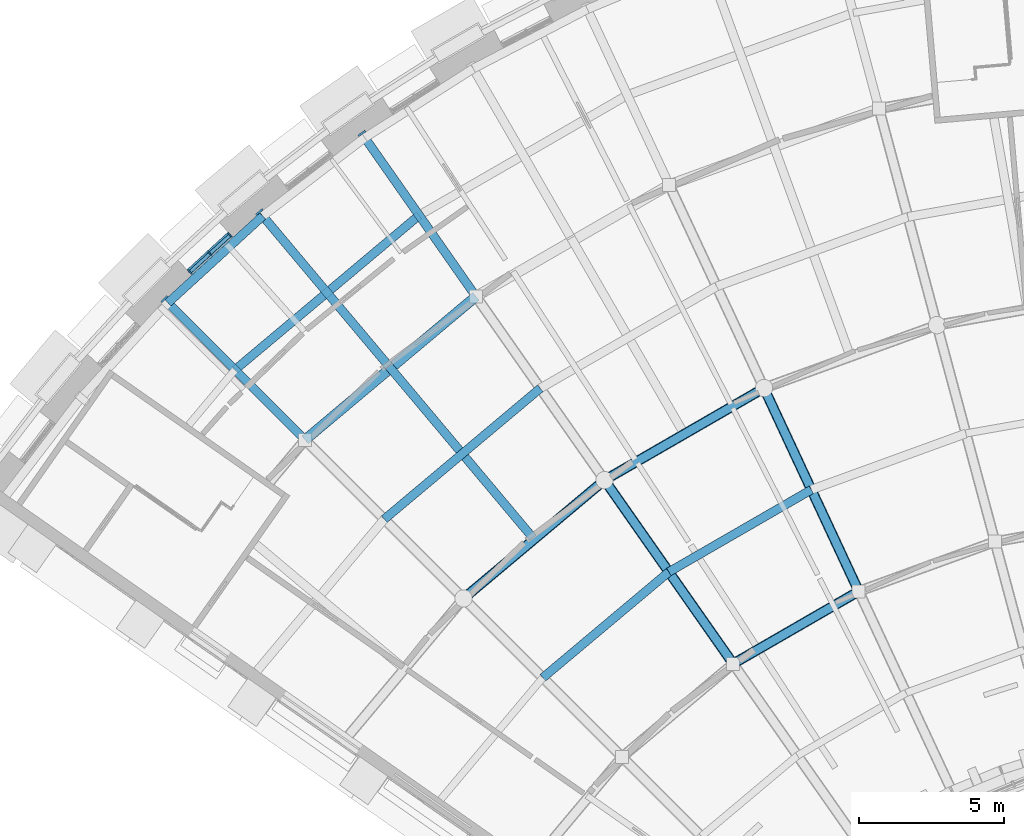
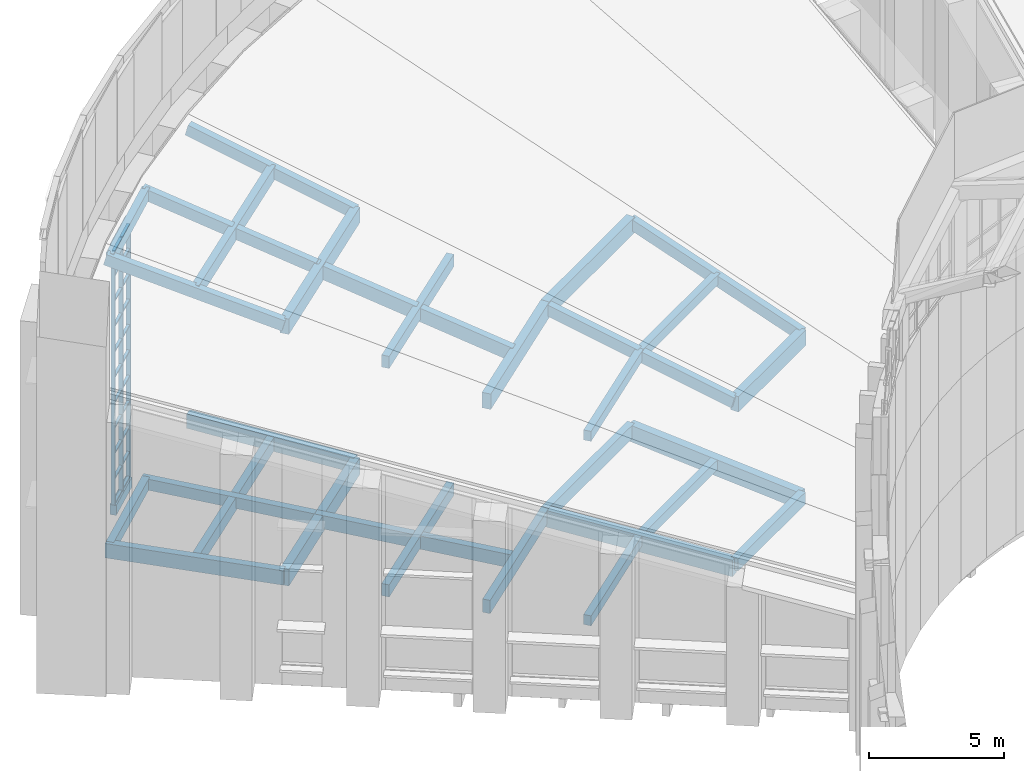
# One storey, part 23 of 82: 32 beams, 25 members, 1 element without a shape of its own.
"""IFC4 building model written with IfcOpenShell, lengths in metres."""

from ifc_helpers import new_model, si_unit, direction, frame, origin, origin_2d, place, context, subcontext, project, spatial, rectangle, extrude, material, layer, layer_set, material_profile, profile_set, type_object, element, aggregate, save


model = new_model("IFC4")

# Units and contexts
model_context = context("Model", 3, precision=1e-05, world=origin(), true_north=direction((0.0, 1.0)))
body_context = subcontext(model_context, "Body", "Model", "MODEL_VIEW")
ifc_project = project(units=[si_unit("LENGTHUNIT", "METRE"), si_unit("AREAUNIT", "SQUARE_METRE"), si_unit("VOLUMEUNIT", "CUBIC_METRE"), si_unit("PLANEANGLEUNIT", "RADIAN"), si_unit("MASSUNIT", "GRAM", prefix="KILO")], contexts=[model_context])

# Site, building, storey
site_placement = place(None, origin())
site = spatial("IfcSite", under=ifc_project, at=site_placement, CompositionType="ELEMENT")
building_placement = place(site_placement, origin())
building = spatial("IfcBuilding", under=site, at=building_placement, Name="Volute Hill Aquarium", CompositionType="ELEMENT")
storey_placement = place(building_placement, frame((0.0, 0.0, 13.800048828125)))
storey = spatial("IfcBuildingStorey", under=building, at=storey_placement, Name="L04", CompositionType="ELEMENT", Elevation=13.800048828125)

# Beams
ifc_material_1 = material(Name="Concrete C35/45", Category="concrete")
ifc_material_profile_1 = material_profile(ifc_material_1, rectangle(XDim=0.300048828125, YDim=0.550048828125, at=origin_2d()), Name="RC beam 300x550")
ifc_profile_set_1 = profile_set([ifc_material_profile_1], Name="Concrete C35/45")
beam_type_1 = type_object("IfcBeamType", Name="Beam 300x550 C35/45", PredefinedType="BEAM", material=ifc_profile_set_1)
beam_1_placement = place(storey_placement, frame((-12.150390625, 26.056396484375, -0.594970703125), z_axis=(-0.866003851672, -0.500037327496, 0.0), x_axis=(0.500037327496, -0.866003851672, 0.0)))
element("IfcBeam", 1, at=beam_1_placement, inside=storey, type_object=beam_type_1, Name="bm/S6/L04/ring1.19", PredefinedType="BEAM", context=body_context, shape_type="SweptSolid", body=[
    extrude(rectangle(XDim=0.300048828125, YDim=0.550048828125, at=origin_2d()), origin(), (0.0, 0.0, 1.0), 5.01123046875),
])
ifc_material_2 = material(Name="Concrete C35/45", Category="concrete")
ifc_material_profile_2 = material_profile(ifc_material_2, rectangle(XDim=0.300048828125, YDim=0.60009765625, at=origin_2d()), Name="RC beam 300x600")
ifc_profile_set_2 = profile_set([ifc_material_profile_2], Name="Concrete C35/45")
beam_type_2 = type_object("IfcBeamType", Name="Beam 300x600 C35/45", PredefinedType="BEAM", material=ifc_profile_set_2)
for number, where, z_axis, x_axis, name in (
    (2, (-15.425537109375, 33.080078125, -0.6201171875), (-0.866029029746, -0.499993719597, 0.0), (0.499993719597, -0.866029029746, 0.0), "bm/S6/L04/ring2.24"),
    (3, (-20.935546875, 29.89892578125, -0.6201171875), (-0.766043421596, -0.642788827088, 0.0), (0.642788827088, -0.766043421596, 0.0), "bm/S6/L04/ring2.25"),
):
    element("IfcBeam", number, at=place(storey_placement, frame(where, z_axis=z_axis, x_axis=x_axis)), inside=storey, type_object=beam_type_2, Name=name, PredefinedType="BEAM", context=body_context, shape_type="SweptSolid", body=[
        extrude(rectangle(XDim=0.300048828125, YDim=0.60009765625, at=origin_2d()), origin(), (0.0, 0.0, 1.0), 6.3623046875),
    ])
ifc_material_3 = material(Name="Concrete C35/45", Category="concrete")
ifc_material_profile_3 = material_profile(ifc_material_3, rectangle(XDim=0.300048828125, YDim=0.64990234375, at=origin_2d()), Name="RC beam 300x650")
ifc_profile_set_3 = profile_set([ifc_material_profile_3], Name="Concrete C35/45")
beam_type_3 = type_object("IfcBeamType", Name="Beam 300x650 C35/45", PredefinedType="BEAM", material=ifc_profile_set_3)
beam_2_placement = place(storey_placement, frame((-25.380859375, 36.24755859375, -0.64501953125), z_axis=(-0.573579548978, 0.819149864796, 0.0), x_axis=(-0.819149864796, -0.573579548978, 0.0)))
element("IfcBeam", 4, at=beam_2_placement, inside=storey, type_object=beam_type_3, Name="bm/S6/L04/rad3.12", PredefinedType="BEAM", context=body_context, shape_type="SweptSolid", body=[
    extrude(rectangle(XDim=0.300048828125, YDim=0.64990234375, at=origin_2d()), origin(), (0.0, 0.0, 1.0), 6.849853515625),
])
beam_3_placement = place(storey_placement, frame((-31.28955078125, 31.28955078125, -0.64501953125), z_axis=(-0.707106781187, 0.707106781187, 0.0), x_axis=(-0.707106781187, -0.707106781187, 0.0)))
element("IfcBeam", 5, at=beam_3_placement, inside=storey, type_object=beam_type_3, Name="bm/S6/L04/rad4.16", PredefinedType="BEAM", context=body_context, shape_type="SweptSolid", body=[
    extrude(rectangle(XDim=0.300048828125, YDim=0.64990234375, at=origin_2d()), origin(), (0.0, 0.0, 1.0), 6.85009765625),
])
ifc_material_4 = material(Name="Concrete C35/45", Category="concrete")
ifc_material_profile_4 = material_profile(ifc_material_4, rectangle(XDim=0.35009765625, YDim=0.699951171875, at=origin_2d()), Name="RC beam 350x700")
ifc_profile_set_4 = profile_set([ifc_material_profile_4], Name="Concrete C35/45")
beam_type_4 = type_object("IfcBeamType", Name="Beam 350x700 C35/45", PredefinedType="BEAM", material=ifc_profile_set_4)
beam_4_placement = place(storey_placement, frame((-12.150390625, 26.056396484375, 6.68408203125), z_axis=(-0.866003851672, -0.500037327496, 0.0), x_axis=(0.500037327496, -0.866003851672, 0.0)))
element("IfcBeam", 6, at=beam_4_placement, inside=storey, type_object=beam_type_4, Name="rb/S6/L04/ring1.19", PredefinedType="BEAM", context=body_context, shape_type="SweptSolid", body=[
    extrude(rectangle(XDim=0.35009765625, YDim=0.699951171875, at=origin_2d()), origin(), (0.0, 0.0, 1.0), 5.01123046875),
])
for number, where, z_axis, x_axis, name in (
    (7, (-15.425537109375, 33.080078125, 8.676513671875), (-0.866029029746, -0.499993719597, 0.0), (0.499993719597, -0.866029029746, 0.0), "rb/S6/L04/ring2.24"),
    (8, (-20.935546875, 29.89892578125, 8.676513671875), (-0.766043421596, -0.642788827088, 0.0), (0.642788827088, -0.766043421596, 0.0), "rb/S6/L04/ring2.25"),
):
    element("IfcBeam", number, at=place(storey_placement, frame(where, z_axis=z_axis, x_axis=x_axis)), inside=storey, type_object=beam_type_4, Name=name, PredefinedType="BEAM", context=body_context, shape_type="SweptSolid", body=[
        extrude(rectangle(XDim=0.35009765625, YDim=0.699951171875, at=origin_2d()), origin(), (0.0, 0.0, 1.0), 6.3623046875),
    ])
beam_5_placement = place(storey_placement, frame((-25.380859375, 36.24755859375, 10.6689453125), z_axis=(-0.766042717383, -0.642789666334, 0.0), x_axis=(0.642789666334, -0.766042717383, 0.0)))
element("IfcBeam", 9, at=beam_5_placement, inside=storey, type_object=beam_type_4, Name="rb/S6/L04/ring3.30", PredefinedType="BEAM", context=body_context, shape_type="SweptSolid", body=[
    extrude(rectangle(XDim=0.35009765625, YDim=0.699951171875, at=origin_2d()), origin(), (0.0, 0.0, 1.0), 7.71337890625),
])
ifc_material_5 = material(Name="Concrete C35/45", Category="concrete")
ifc_material_profile_5 = material_profile(ifc_material_5, rectangle(XDim=0.35009765625, YDim=0.75, at=origin_2d()), Name="RC beam 350x750")
ifc_profile_set_5 = profile_set([ifc_material_profile_5], Name="Concrete C35/45")
beam_type_5 = type_object("IfcBeamType", Name="Beam 350x750 C35/45", PredefinedType="BEAM", material=ifc_profile_set_5)
beam_6_placement = place(storey_placement, frame((-12.150390625, 26.056396484375, -0.695068359375), z_axis=(-0.422612956623, 0.906310260835, 0.0), x_axis=(-0.906310260835, -0.422612956623, 0.0)))
element("IfcBeam", 10, at=beam_6_placement, inside=storey, type_object=beam_type_5, Name="bm/S6/L04/rad2.6", PredefinedType="BEAM", context=body_context, shape_type="SweptSolid", body=[
    extrude(rectangle(XDim=0.35009765625, YDim=0.75, at=origin_2d()), origin(), (0.0, 0.0, 1.0), 7.749755859375),
])
beam_7_placement = place(storey_placement, frame((-16.490234375, 23.550537109375, -0.695068359375), z_axis=(-0.573587076888, 0.819144593602, 0.0), x_axis=(-0.819144593602, -0.573587076888, 0.0)))
element("IfcBeam", 11, at=beam_7_placement, inside=storey, type_object=beam_type_5, Name="bm/S6/L04/rad3.10", PredefinedType="BEAM", context=body_context, shape_type="SweptSolid", body=[
    extrude(rectangle(XDim=0.35009765625, YDim=0.75, at=origin_2d()), origin(), (0.0, 0.0, 1.0), 7.75),
])
beam_8_placement = place(storey_placement, frame((-25.380859375, 36.24755859375, -0.695068359375), z_axis=(-0.766042717383, -0.642789666334, 0.0), x_axis=(0.642789666334, -0.766042717383, 0.0)))
element("IfcBeam", 12, at=beam_8_placement, inside=storey, type_object=beam_type_5, Name="bm/S6/L04/ring3.30", PredefinedType="BEAM", context=body_context, shape_type="SweptSolid", body=[
    extrude(rectangle(XDim=0.35009765625, YDim=0.75, at=origin_2d()), origin(), (0.0, 0.0, 1.0), 7.71337890625),
])

# Curtain wall, members
ifc_material_6 = material(Name="Aluminium", Category="aluminium")
ifc_layer = layer(ifc_material_6, 0.25)
ifc_layer_set = layer_set([ifc_layer], Name="Curtain wall niche S6 module 967")
curtain_wall_type = type_object("IfcCurtainWallType", Name="Curtain wall niche S6 module 967", PredefinedType="NOTDEFINED", material=ifc_layer_set)
curtain_wall_placement = place(storey_placement, origin())
curtain_wall = element("IfcCurtainWall", 13, at=curtain_wall_placement, inside=storey, type_object=curtain_wall_type, Name="Curtain wall CW S6 L04 8", PredefinedType="NOTDEFINED")
ifc_material_7 = material(Name="Aluminium", Category="aluminium")
ifc_material_profile_6 = material_profile(ifc_material_7, rectangle(XDim=0.169921875, YDim=0.050048828125, at=origin_2d()), Name="Curtain wall mullion S6 50x170")
ifc_profile_set_6 = profile_set([ifc_material_profile_6], Name="Aluminium")
member_type_1 = type_object("IfcMemberType", Name="Curtain wall mullion S6 50x170", PredefinedType="MULLION", material=ifc_profile_set_6)
member_1_placement = place(storey_placement, frame((-33.879638671875, 38.3671875, 0.449951171875), z_axis=(0.0, 0.0, 1.0), x_axis=(0.675582007635, -0.737284850624, 0.0)))
member_1 = element("IfcMember", 14, at=member_1_placement, type_object=member_type_1, Name="CW mullion 1", PredefinedType="MULLION", context=body_context, shape_type="SweptSolid", body=[
    extrude(rectangle(XDim=0.169921875, YDim=0.050048828125, at=origin_2d()), origin(), (0.0, 0.0, 1.0), 11.491455078125),
])
member_2_placement = place(storey_placement, frame((-34.573974609375, 37.73095703125, 0.449951171875), z_axis=(0.0, 0.0, 1.0), x_axis=(0.675582007635, -0.737284850624, 0.0)))
member_2 = element("IfcMember", 15, at=member_2_placement, type_object=member_type_1, Name="CW mullion 2", PredefinedType="MULLION", context=body_context, shape_type="SweptSolid", body=[
    extrude(rectangle(XDim=0.169921875, YDim=0.050048828125, at=origin_2d()), origin(), (0.0, 0.0, 1.0), 11.491455078125),
])
member_3_placement = place(storey_placement, frame((-35.268310546875, 37.094482421875, 0.449951171875), z_axis=(0.0, 0.0, 1.0), x_axis=(0.675582007635, -0.737284850624, 0.0)))
member_3 = element("IfcMember", 16, at=member_3_placement, type_object=member_type_1, Name="CW mullion 3", PredefinedType="MULLION", context=body_context, shape_type="SweptSolid", body=[
    extrude(rectangle(XDim=0.169921875, YDim=0.050048828125, at=origin_2d()), origin(), (0.0, 0.0, 1.0), 11.491455078125),
])
ifc_material_8 = material(Name="Aluminium", Category="aluminium")
ifc_material_profile_7 = material_profile(ifc_material_8, rectangle(XDim=0.1201171875, YDim=0.050048828125, at=origin_2d()), Name="Curtain wall transom S6 50x120")
ifc_profile_set_7 = profile_set([ifc_material_profile_7], Name="Aluminium")
member_type_2 = type_object("IfcMemberType", Name="Curtain wall transom S6 50x120", PredefinedType="USERDEFINED", material=ifc_profile_set_7)
member_4_placement = place(storey_placement, frame((-33.89794921875, 38.350341796875, 0.474853515625), z_axis=(-0.737358609817, -0.67550150298, 0.0), x_axis=(0.67550150298, -0.737358609817, 0.0)))
member_4 = element("IfcMember", 17, at=member_4_placement, type_object=member_type_2, Name="CW transom 1.1", ObjectType="TRANSOM", PredefinedType="USERDEFINED", context=body_context, shape_type="SweptSolid", body=[
    extrude(rectangle(XDim=0.1201171875, YDim=0.050048828125, at=origin_2d()), origin(), (0.0, 0.0, 1.0), 0.89208984375),
])
member_5_placement = place(storey_placement, frame((-33.89794921875, 38.350341796875, 1.59912109375), z_axis=(-0.737358609817, -0.67550150298, 0.0), x_axis=(0.67550150298, -0.737358609817, 0.0)))
member_5 = element("IfcMember", 18, at=member_5_placement, type_object=member_type_2, Name="CW transom 1.2", ObjectType="TRANSOM", PredefinedType="USERDEFINED", context=body_context, shape_type="SweptSolid", body=[
    extrude(rectangle(XDim=0.1201171875, YDim=0.050048828125, at=origin_2d()), origin(), (0.0, 0.0, 1.0), 0.89208984375),
])
member_6_placement = place(storey_placement, frame((-33.89794921875, 38.350341796875, 2.748291015625), z_axis=(-0.737358609817, -0.67550150298, 0.0), x_axis=(0.67550150298, -0.737358609817, 0.0)))
member_6 = element("IfcMember", 19, at=member_6_placement, type_object=member_type_2, Name="CW transom 1.3", ObjectType="TRANSOM", PredefinedType="USERDEFINED", context=body_context, shape_type="SweptSolid", body=[
    extrude(rectangle(XDim=0.1201171875, YDim=0.050048828125, at=origin_2d()), origin(), (0.0, 0.0, 1.0), 0.89208984375),
])
member_7_placement = place(storey_placement, frame((-33.89794921875, 38.350341796875, 3.8974609375), z_axis=(-0.737358609817, -0.67550150298, 0.0), x_axis=(0.67550150298, -0.737358609817, 0.0)))
member_7 = element("IfcMember", 20, at=member_7_placement, type_object=member_type_2, Name="CW transom 1.4", ObjectType="TRANSOM", PredefinedType="USERDEFINED", context=body_context, shape_type="SweptSolid", body=[
    extrude(rectangle(XDim=0.1201171875, YDim=0.050048828125, at=origin_2d()), origin(), (0.0, 0.0, 1.0), 0.89208984375),
])
member_8_placement = place(storey_placement, frame((-33.89794921875, 38.350341796875, 5.046630859375), z_axis=(-0.737358609817, -0.67550150298, 0.0), x_axis=(0.67550150298, -0.737358609817, 0.0)))
member_8 = element("IfcMember", 21, at=member_8_placement, type_object=member_type_2, Name="CW transom 1.5", ObjectType="TRANSOM", PredefinedType="USERDEFINED", context=body_context, shape_type="SweptSolid", body=[
    extrude(rectangle(XDim=0.1201171875, YDim=0.050048828125, at=origin_2d()), origin(), (0.0, 0.0, 1.0), 0.89208984375),
])
member_9_placement = place(storey_placement, frame((-33.89794921875, 38.350341796875, 6.195556640625), z_axis=(-0.737358609817, -0.67550150298, 0.0), x_axis=(0.67550150298, -0.737358609817, 0.0)))
member_9 = element("IfcMember", 22, at=member_9_placement, type_object=member_type_2, Name="CW transom 1.6", ObjectType="TRANSOM", PredefinedType="USERDEFINED", context=body_context, shape_type="SweptSolid", body=[
    extrude(rectangle(XDim=0.1201171875, YDim=0.050048828125, at=origin_2d()), origin(), (0.0, 0.0, 1.0), 0.89208984375),
])
member_10_placement = place(storey_placement, frame((-33.89794921875, 38.350341796875, 7.3447265625), z_axis=(-0.737358609817, -0.67550150298, 0.0), x_axis=(0.67550150298, -0.737358609817, 0.0)))
member_10 = element("IfcMember", 23, at=member_10_placement, type_object=member_type_2, Name="CW transom 1.7", ObjectType="TRANSOM", PredefinedType="USERDEFINED", context=body_context, shape_type="SweptSolid", body=[
    extrude(rectangle(XDim=0.1201171875, YDim=0.050048828125, at=origin_2d()), origin(), (0.0, 0.0, 1.0), 0.89208984375),
])
member_11_placement = place(storey_placement, frame((-33.89794921875, 38.350341796875, 8.493896484375), z_axis=(-0.737358609817, -0.67550150298, 0.0), x_axis=(0.67550150298, -0.737358609817, 0.0)))
member_11 = element("IfcMember", 24, at=member_11_placement, type_object=member_type_2, Name="CW transom 1.8", ObjectType="TRANSOM", PredefinedType="USERDEFINED", context=body_context, shape_type="SweptSolid", body=[
    extrude(rectangle(XDim=0.1201171875, YDim=0.050048828125, at=origin_2d()), origin(), (0.0, 0.0, 1.0), 0.89208984375),
])
member_12_placement = place(storey_placement, frame((-33.89794921875, 38.350341796875, 9.64306640625), z_axis=(-0.737358609817, -0.67550150298, 0.0), x_axis=(0.67550150298, -0.737358609817, 0.0)))
member_12 = element("IfcMember", 25, at=member_12_placement, type_object=member_type_2, Name="CW transom 1.9", ObjectType="TRANSOM", PredefinedType="USERDEFINED", context=body_context, shape_type="SweptSolid", body=[
    extrude(rectangle(XDim=0.1201171875, YDim=0.050048828125, at=origin_2d()), origin(), (0.0, 0.0, 1.0), 0.89208984375),
])
member_13_placement = place(storey_placement, frame((-33.89794921875, 38.350341796875, 10.792236328125), z_axis=(-0.737358609817, -0.67550150298, 0.0), x_axis=(0.67550150298, -0.737358609817, 0.0)))
member_13 = element("IfcMember", 26, at=member_13_placement, type_object=member_type_2, Name="CW transom 1.10", ObjectType="TRANSOM", PredefinedType="USERDEFINED", context=body_context, shape_type="SweptSolid", body=[
    extrude(rectangle(XDim=0.1201171875, YDim=0.050048828125, at=origin_2d()), origin(), (0.0, 0.0, 1.0), 0.89208984375),
])
member_14_placement = place(storey_placement, frame((-33.89794921875, 38.350341796875, 11.916259765625), z_axis=(-0.737358609817, -0.67550150298, 0.0), x_axis=(0.67550150298, -0.737358609817, 0.0)))
member_14 = element("IfcMember", 27, at=member_14_placement, type_object=member_type_2, Name="CW transom 1.11", ObjectType="TRANSOM", PredefinedType="USERDEFINED", context=body_context, shape_type="SweptSolid", body=[
    extrude(rectangle(XDim=0.1201171875, YDim=0.050048828125, at=origin_2d()), origin(), (0.0, 0.0, 1.0), 0.89208984375),
])
member_15_placement = place(storey_placement, frame((-34.592529296875, 37.714111328125, 0.474853515625), z_axis=(-0.737097330145, -0.675786597894, 0.0), x_axis=(0.675786597894, -0.737097330145, 0.0)))
member_15 = element("IfcMember", 28, at=member_15_placement, type_object=member_type_2, Name="CW transom 2.1", ObjectType="TRANSOM", PredefinedType="USERDEFINED", context=body_context, shape_type="SweptSolid", body=[
    extrude(rectangle(XDim=0.1201171875, YDim=0.050048828125, at=origin_2d()), origin(), (0.0, 0.0, 1.0), 0.89208984375),
])
member_16_placement = place(storey_placement, frame((-34.592529296875, 37.714111328125, 1.59912109375), z_axis=(-0.737097330145, -0.675786597894, 0.0), x_axis=(0.675786597894, -0.737097330145, 0.0)))
member_16 = element("IfcMember", 29, at=member_16_placement, type_object=member_type_2, Name="CW transom 2.2", ObjectType="TRANSOM", PredefinedType="USERDEFINED", context=body_context, shape_type="SweptSolid", body=[
    extrude(rectangle(XDim=0.1201171875, YDim=0.050048828125, at=origin_2d()), origin(), (0.0, 0.0, 1.0), 0.89208984375),
])
member_17_placement = place(storey_placement, frame((-34.592529296875, 37.714111328125, 2.748291015625), z_axis=(-0.737097330145, -0.675786597894, 0.0), x_axis=(0.675786597894, -0.737097330145, 0.0)))
member_17 = element("IfcMember", 30, at=member_17_placement, type_object=member_type_2, Name="CW transom 2.3", ObjectType="TRANSOM", PredefinedType="USERDEFINED", context=body_context, shape_type="SweptSolid", body=[
    extrude(rectangle(XDim=0.1201171875, YDim=0.050048828125, at=origin_2d()), origin(), (0.0, 0.0, 1.0), 0.89208984375),
])
member_18_placement = place(storey_placement, frame((-34.592529296875, 37.714111328125, 3.8974609375), z_axis=(-0.737097330145, -0.675786597894, 0.0), x_axis=(0.675786597894, -0.737097330145, 0.0)))
member_18 = element("IfcMember", 31, at=member_18_placement, type_object=member_type_2, Name="CW transom 2.4", ObjectType="TRANSOM", PredefinedType="USERDEFINED", context=body_context, shape_type="SweptSolid", body=[
    extrude(rectangle(XDim=0.1201171875, YDim=0.050048828125, at=origin_2d()), origin(), (0.0, 0.0, 1.0), 0.89208984375),
])
member_19_placement = place(storey_placement, frame((-34.592529296875, 37.714111328125, 5.046630859375), z_axis=(-0.737097330145, -0.675786597894, 0.0), x_axis=(0.675786597894, -0.737097330145, 0.0)))
member_19 = element("IfcMember", 32, at=member_19_placement, type_object=member_type_2, Name="CW transom 2.5", ObjectType="TRANSOM", PredefinedType="USERDEFINED", context=body_context, shape_type="SweptSolid", body=[
    extrude(rectangle(XDim=0.1201171875, YDim=0.050048828125, at=origin_2d()), origin(), (0.0, 0.0, 1.0), 0.89208984375),
])
member_20_placement = place(storey_placement, frame((-34.592529296875, 37.714111328125, 6.195556640625), z_axis=(-0.737097330145, -0.675786597894, 0.0), x_axis=(0.675786597894, -0.737097330145, 0.0)))
member_20 = element("IfcMember", 33, at=member_20_placement, type_object=member_type_2, Name="CW transom 2.6", ObjectType="TRANSOM", PredefinedType="USERDEFINED", context=body_context, shape_type="SweptSolid", body=[
    extrude(rectangle(XDim=0.1201171875, YDim=0.050048828125, at=origin_2d()), origin(), (0.0, 0.0, 1.0), 0.89208984375),
])
member_21_placement = place(storey_placement, frame((-34.592529296875, 37.714111328125, 7.3447265625), z_axis=(-0.737097330145, -0.675786597894, 0.0), x_axis=(0.675786597894, -0.737097330145, 0.0)))
member_21 = element("IfcMember", 34, at=member_21_placement, type_object=member_type_2, Name="CW transom 2.7", ObjectType="TRANSOM", PredefinedType="USERDEFINED", context=body_context, shape_type="SweptSolid", body=[
    extrude(rectangle(XDim=0.1201171875, YDim=0.050048828125, at=origin_2d()), origin(), (0.0, 0.0, 1.0), 0.89208984375),
])
member_22_placement = place(storey_placement, frame((-34.592529296875, 37.714111328125, 8.493896484375), z_axis=(-0.737097330145, -0.675786597894, 0.0), x_axis=(0.675786597894, -0.737097330145, 0.0)))
member_22 = element("IfcMember", 35, at=member_22_placement, type_object=member_type_2, Name="CW transom 2.8", ObjectType="TRANSOM", PredefinedType="USERDEFINED", context=body_context, shape_type="SweptSolid", body=[
    extrude(rectangle(XDim=0.1201171875, YDim=0.050048828125, at=origin_2d()), origin(), (0.0, 0.0, 1.0), 0.89208984375),
])
member_23_placement = place(storey_placement, frame((-34.592529296875, 37.714111328125, 9.64306640625), z_axis=(-0.737097330145, -0.675786597894, 0.0), x_axis=(0.675786597894, -0.737097330145, 0.0)))
member_23 = element("IfcMember", 36, at=member_23_placement, type_object=member_type_2, Name="CW transom 2.9", ObjectType="TRANSOM", PredefinedType="USERDEFINED", context=body_context, shape_type="SweptSolid", body=[
    extrude(rectangle(XDim=0.1201171875, YDim=0.050048828125, at=origin_2d()), origin(), (0.0, 0.0, 1.0), 0.89208984375),
])
member_24_placement = place(storey_placement, frame((-34.592529296875, 37.714111328125, 10.792236328125), z_axis=(-0.737097330145, -0.675786597894, 0.0), x_axis=(0.675786597894, -0.737097330145, 0.0)))
member_24 = element("IfcMember", 37, at=member_24_placement, type_object=member_type_2, Name="CW transom 2.10", ObjectType="TRANSOM", PredefinedType="USERDEFINED", context=body_context, shape_type="SweptSolid", body=[
    extrude(rectangle(XDim=0.1201171875, YDim=0.050048828125, at=origin_2d()), origin(), (0.0, 0.0, 1.0), 0.89208984375),
])
member_25_placement = place(storey_placement, frame((-34.592529296875, 37.714111328125, 11.916259765625), z_axis=(-0.737097330145, -0.675786597894, 0.0), x_axis=(0.675786597894, -0.737097330145, 0.0)))
member_25 = element("IfcMember", 38, at=member_25_placement, type_object=member_type_2, Name="CW transom 2.11", ObjectType="TRANSOM", PredefinedType="USERDEFINED", context=body_context, shape_type="SweptSolid", body=[
    extrude(rectangle(XDim=0.1201171875, YDim=0.050048828125, at=origin_2d()), origin(), (0.0, 0.0, 1.0), 0.89208984375),
])
aggregate(curtain_wall, [member_1, member_2, member_3, member_4, member_5, member_6, member_7, member_8, member_9, member_10, member_11, member_12, member_13, member_14, member_15, member_16, member_17, member_18, member_19, member_20, member_21, member_22, member_23, member_24, member_25])

# Beams
ifc_material_9 = material(Name="Concrete C35/45", Category="concrete")
ifc_material_profile_8 = material_profile(ifc_material_9, rectangle(XDim=0.300048828125, YDim=0.5, at=origin_2d()), Name="RC edge beam 300x500")
ifc_profile_set_8 = profile_set([ifc_material_profile_8], Name="Concrete C35/45")
beam_type_6 = type_object("IfcBeamType", Name="Edge beam 300x500 C35/45", PredefinedType="BEAM", material=ifc_profile_set_8)
beam_9_placement = place(storey_placement, frame((-32.75, 39.02978515625, -0.570068359375), z_axis=(-0.737302325193, -0.675562936568, 0.0), x_axis=(0.675562936568, -0.737302325193, 0.0)))
element("IfcBeam", 39, at=beam_9_placement, inside=storey, type_object=beam_type_6, Name="bm/S6/L04/edgeO.49", PredefinedType="BEAM", context=body_context, shape_type="SweptSolid", body=[
    extrude(rectangle(XDim=0.300048828125, YDim=0.5, at=origin_2d()), origin(), (0.0, 0.0, 1.0), 4.44482421875),
])
beam_10_placement = place(storey_placement, frame((-32.75, 39.02978515625, 12.541259765625), z_axis=(-0.737256041599, -0.675520528617, -0.011204666057), x_axis=(0.675562936568, -0.737302325193, 0.0)))
element("IfcBeam", 40, at=beam_10_placement, inside=storey, type_object=beam_type_6, Name="rb/S6/L04/edgeO.49", PredefinedType="BEAM", context=body_context, shape_type="SweptSolid", body=[
    extrude(rectangle(XDim=0.300048828125, YDim=0.5, at=origin_2d()), origin(), (0.0, 0.0, 1.0), 4.445068359375),
])
ifc_material_10 = material(Name="Concrete C35/45", Category="concrete")
ifc_material_profile_9 = material_profile(ifc_material_10, rectangle(XDim=0.300048828125, YDim=0.449951171875, at=origin_2d()), Name="RC joist 300x450")
ifc_profile_set_9 = profile_set([ifc_material_profile_9], Name="Concrete C35/45")
beam_type_7 = type_object("IfcBeamType", Name="Joist 300x450 C35/45", PredefinedType="BEAM", material=ifc_profile_set_9)
for number, where, z_axis, x_axis, name in (
    (41, (-13.787841796875, 29.568359375, -0.545166015625), (-0.866023302837, -0.50000363893, 0.0), (0.50000363893, -0.866023302837, 0.0), "bm/S6/L04/jst8"),
    (42, (-18.712890625, 26.724853515625, -0.545166015625), (-0.766042198561, -0.642790284637, 0.0), (0.642790284637, -0.766042198561, 0.0), "bm/S6/L04/jst9"),
    (43, (-13.787841796875, 29.568359375, 7.805419921875), (-0.866023302837, -0.50000363893, 0.0), (0.50000363893, -0.866023302837, 0.0), "rb/S6/L04/jst8"),
    (44, (-18.712890625, 26.724853515625, 7.805419921875), (-0.766042198561, -0.642790284637, 0.0), (0.642790284637, -0.766042198561, 0.0), "rb/S6/L04/jst9"),
):
    element("IfcBeam", number, at=place(storey_placement, frame(where, z_axis=z_axis, x_axis=x_axis)), inside=storey, type_object=beam_type_7, Name=name, PredefinedType="BEAM", context=body_context, shape_type="SweptSolid", body=[
        extrude(rectangle(XDim=0.300048828125, YDim=0.449951171875, at=origin_2d()), origin(), (0.0, 0.0, 1.0), 5.68701171875),
    ])
ifc_material_11 = material(Name="Concrete C35/45", Category="concrete")
ifc_material_profile_10 = material_profile(ifc_material_11, rectangle(XDim=0.300048828125, YDim=0.5, at=origin_2d()), Name="RC joist 300x500")
ifc_profile_set_10 = profile_set([ifc_material_profile_10], Name="Concrete C35/45")
beam_type_8 = type_object("IfcBeamType", Name="Joist 300x500 C35/45", PredefinedType="BEAM", material=ifc_profile_set_10)
beam_11_placement = place(storey_placement, frame((-28.443359375, 33.8974609375, -0.570068359375), z_axis=(-0.64277490452, 0.76605510384, 0.0), x_axis=(-0.76605510384, -0.64277490452, 0.0)))
element("IfcBeam", 45, at=beam_11_placement, inside=storey, type_object=beam_type_8, Name="bm/S6/L04/rjst9", PredefinedType="BEAM", context=body_context, shape_type="SweptSolid", body=[
    extrude(rectangle(XDim=0.300048828125, YDim=0.5, at=origin_2d()), origin(), (0.0, 0.0, 1.0), 6.85009765625),
])
beam_12_placement = place(storey_placement, frame((-28.443359375, 33.8974609375, 10.80419921875), z_axis=(-0.622383199206, 0.741752397213, 0.24988504272), x_axis=(-0.76605510384, -0.64277490452, 0.0)))
element("IfcBeam", 46, at=beam_12_placement, inside=storey, type_object=beam_type_8, Name="rb/S6/L04/rjst9", PredefinedType="BEAM", context=body_context, shape_type="SweptSolid", body=[
    extrude(rectangle(XDim=0.300048828125, YDim=0.5, at=origin_2d()), origin(), (0.0, 0.0, 1.0), 7.074462890625),
])
ifc_material_12 = material(Name="Concrete C35/45", Category="concrete")
ifc_material_profile_11 = material_profile(ifc_material_12, rectangle(XDim=0.300048828125, YDim=0.550048828125, at=origin_2d()), Name="RC joist 300x550")
ifc_profile_set_11 = profile_set([ifc_material_profile_11], Name="Concrete C35/45")
beam_type_9 = type_object("IfcBeamType", Name="Joist 300x550 C35/45", PredefinedType="BEAM", material=ifc_profile_set_11)
for number, where, z_axis, x_axis, name in (
    (47, (-23.158203125, 33.0732421875, -0.594970703125), (-0.766027328083, -0.64280800604, 0.0), (0.64280800604, -0.766027328083, 0.0), "bm/S6/L04/jst14"),
    (48, (-23.158203125, 33.0732421875, 9.747802734375), (-0.766027328083, -0.64280800604, 0.0), (0.64280800604, -0.766027328083, 0.0), "rb/S6/L04/jst14"),
):
    element("IfcBeam", number, at=place(storey_placement, frame(where, z_axis=z_axis, x_axis=x_axis)), inside=storey, type_object=beam_type_9, Name=name, PredefinedType="BEAM", context=body_context, shape_type="SweptSolid", body=[
        extrude(rectangle(XDim=0.300048828125, YDim=0.550048828125, at=origin_2d()), origin(), (0.0, 0.0, 1.0), 7.037841796875),
    ])
ifc_material_13 = material(Name="Concrete C35/45", Category="concrete")
ifc_material_profile_12 = material_profile(ifc_material_13, rectangle(XDim=0.300048828125, YDim=0.60009765625, at=origin_2d()), Name="RC joist 300x600")
ifc_profile_set_12 = profile_set([ifc_material_profile_12], Name="Concrete C35/45")
beam_type_10 = type_object("IfcBeamType", Name="Joist 300x600 C35/45", PredefinedType="BEAM", material=ifc_profile_set_12)
beam_13_placement = place(storey_placement, frame((-27.34521484375, 39.052978515625, -0.6201171875), z_axis=(-0.76603754112, -0.642795835079, 0.0), x_axis=(0.642795835079, -0.76603754112, 0.0)))
element("IfcBeam", 49, at=beam_13_placement, inside=storey, type_object=beam_type_10, Name="bm/S6/L04/jst19", PredefinedType="BEAM", context=body_context, shape_type="SweptSolid", body=[
    extrude(rectangle(XDim=0.300048828125, YDim=0.60009765625, at=origin_2d()), origin(), (0.0, 0.0, 1.0), 8.310302734375),
])
beam_14_placement = place(storey_placement, frame((-23.461669921875, 27.960693359375, -0.6201171875), z_axis=(-0.642798965079, 0.76603491467, 0.0), x_axis=(-0.76603491467, -0.642798965079, 0.0)))
element("IfcBeam", 50, at=beam_14_placement, inside=storey, type_object=beam_type_10, Name="bm/S6/L04/rjst4", PredefinedType="BEAM", context=body_context, shape_type="SweptSolid", body=[
    extrude(rectangle(XDim=0.300048828125, YDim=0.60009765625, at=origin_2d()), origin(), (0.0, 0.0, 1.0), 7.75),
])
beam_15_placement = place(storey_placement, frame((-27.34521484375, 39.052978515625, 11.599365234375), z_axis=(-0.76603754112, -0.642795835079, 0.0), x_axis=(0.642795835079, -0.76603754112, 0.0)))
element("IfcBeam", 51, at=beam_15_placement, inside=storey, type_object=beam_type_10, Name="rb/S6/L04/jst19", PredefinedType="BEAM", context=body_context, shape_type="SweptSolid", body=[
    extrude(rectangle(XDim=0.300048828125, YDim=0.60009765625, at=origin_2d()), origin(), (0.0, 0.0, 1.0), 8.310302734375),
])
beam_16_placement = place(storey_placement, frame((-23.461669921875, 27.960693359375, 8.75244140625), z_axis=(-0.622407641883, 0.741734213559, 0.249878137824), x_axis=(-0.76603491467, -0.642798965079, 0.0)))
element("IfcBeam", 52, at=beam_16_placement, inside=storey, type_object=beam_type_10, Name="rb/S6/L04/rjst4", PredefinedType="BEAM", context=body_context, shape_type="SweptSolid", body=[
    extrude(rectangle(XDim=0.300048828125, YDim=0.60009765625, at=origin_2d()), origin(), (0.0, 0.0, 1.0), 8.00390625),
])
ifc_material_14 = material(Name="Concrete C35/45", Category="concrete")
ifc_material_profile_13 = material_profile(ifc_material_14, rectangle(XDim=0.25, YDim=0.300048828125, at=origin_2d()), Name="RC beam 250x300")
ifc_profile_set_13 = profile_set([ifc_material_profile_13], Name="Concrete C35/45")
beam_type_11 = type_object("IfcBeamType", Name="Niche head beam RC 250x300 C35/45", PredefinedType="BEAM", material=ifc_profile_set_13)
beam_17_placement = place(storey_placement, frame((-33.861083984375, 38.384033203125, 12.09130859375), z_axis=(-0.73730085884, -0.675564536927, 0.0), x_axis=(0.675564536927, -0.73730085884, 0.0)))
element("IfcBeam", 53, at=beam_17_placement, inside=storey, type_object=beam_type_11, Name="Niche head beam OWB S6 L04 8", PredefinedType="BEAM", context=body_context, shape_type="SweptSolid", body=[
    extrude(rectangle(XDim=0.25, YDim=0.300048828125, at=origin_2d()), origin(), (0.0, 0.0, 1.0), 1.933837890625),
])
ifc_material_15 = material(Name="Concrete C35/45", Category="concrete")
ifc_material_profile_14 = material_profile(ifc_material_15, rectangle(XDim=0.25, YDim=0.449951171875, at=origin_2d()), Name="RC beam 250x450")
ifc_profile_set_14 = profile_set([ifc_material_profile_14], Name="Concrete C35/45")
beam_type_12 = type_object("IfcBeamType", Name="Niche sill beam RC 250x450 C35/45", PredefinedType="BEAM", material=ifc_profile_set_14)
beam_18_placement = place(storey_placement, frame((-33.861083984375, 38.384033203125, 0.224853515625), z_axis=(-0.73730085884, -0.675564536927, 0.0), x_axis=(0.675564536927, -0.73730085884, 0.0)))
element("IfcBeam", 54, at=beam_18_placement, inside=storey, type_object=beam_type_12, Name="Niche sill beam OWB S6 L04 8", PredefinedType="BEAM", context=body_context, shape_type="SweptSolid", body=[
    extrude(rectangle(XDim=0.25, YDim=0.449951171875, at=origin_2d()), origin(), (0.0, 0.0, 1.0), 1.933837890625),
])
ifc_material_16 = material(Name="Concrete C35/45", Category="concrete")
ifc_material_profile_15 = material_profile(ifc_material_16, rectangle(XDim=0.300048828125, YDim=0.5, at=origin_2d()), Name="RC rib 300x500")
ifc_profile_set_15 = profile_set([ifc_material_profile_15], Name="Concrete C35/45")
beam_type_13 = type_object("IfcBeamType", Name="Roof rib 300x500 C35/45", PredefinedType="BEAM", material=ifc_profile_set_15)
beam_19_placement = place(storey_placement, frame((-12.150390625, 26.056396484375, 6.776123046875), z_axis=(-0.409302276094, 0.877764978081, 0.248998574372), x_axis=(-0.906310260835, -0.422612956623, 0.0)))
element("IfcBeam", 55, at=beam_19_placement, inside=storey, type_object=beam_type_13, Name="rb/S6/L04/rib2.6", PredefinedType="BEAM", context=body_context, shape_type="SweptSolid", body=[
    extrude(rectangle(XDim=0.300048828125, YDim=0.5, at=origin_2d()), origin(), (0.0, 0.0, 1.0), 8.001708984375),
])
beam_20_placement = place(storey_placement, frame((-16.490234375, 23.550537109375, 6.776123046875), z_axis=(-0.55552670386, 0.79335242094, 0.248961879586), x_axis=(-0.819144593602, -0.573587076888, 0.0)))
element("IfcBeam", 56, at=beam_20_placement, inside=storey, type_object=beam_type_13, Name="rb/S6/L04/rib3.10", PredefinedType="BEAM", context=body_context, shape_type="SweptSolid", body=[
    extrude(rectangle(XDim=0.300048828125, YDim=0.5, at=origin_2d()), origin(), (0.0, 0.0, 1.0), 8.001953125),
])
beam_21_placement = place(storey_placement, frame((-25.380859375, 36.24755859375, 10.7607421875), z_axis=(-0.555511045752, 0.793345576618, 0.249018622013), x_axis=(-0.819149864796, -0.573579548978, 0.0)))
element("IfcBeam", 57, at=beam_21_placement, inside=storey, type_object=beam_type_13, Name="rb/S6/L04/rib3.12", PredefinedType="BEAM", context=body_context, shape_type="SweptSolid", body=[
    extrude(rectangle(XDim=0.300048828125, YDim=0.5, at=origin_2d()), origin(), (0.0, 0.0, 1.0), 7.07275390625),
])
beam_22_placement = place(storey_placement, frame((-31.28955078125, 31.28955078125, 10.7607421875), z_axis=(-0.684833297846, 0.684833297846, 0.249011462231), x_axis=(-0.707106781187, -0.707106781187, 0.0)))
element("IfcBeam", 58, at=beam_22_placement, inside=storey, type_object=beam_type_13, Name="rb/S6/L04/rib4.16", PredefinedType="BEAM", context=body_context, shape_type="SweptSolid", body=[
    extrude(rectangle(XDim=0.300048828125, YDim=0.5, at=origin_2d()), origin(), (0.0, 0.0, 1.0), 7.072998046875),
])

save(model, "model.ifc")
